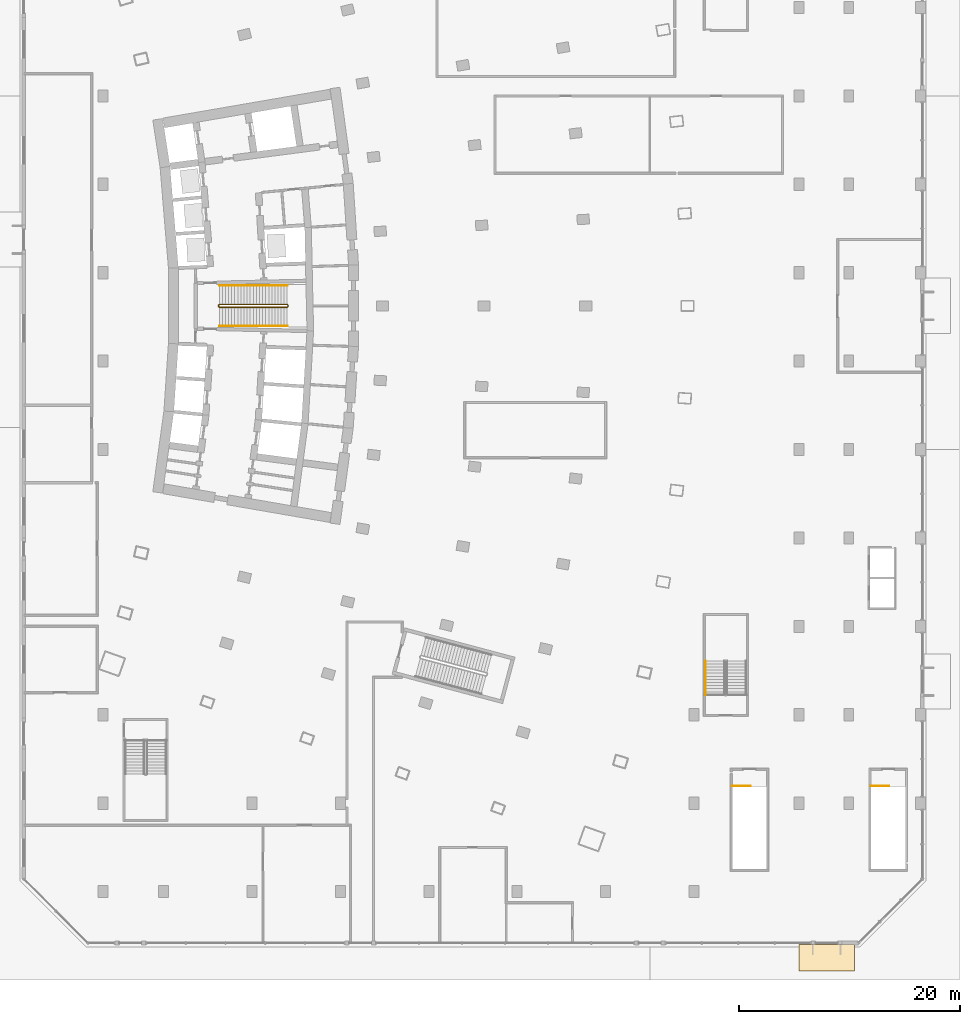
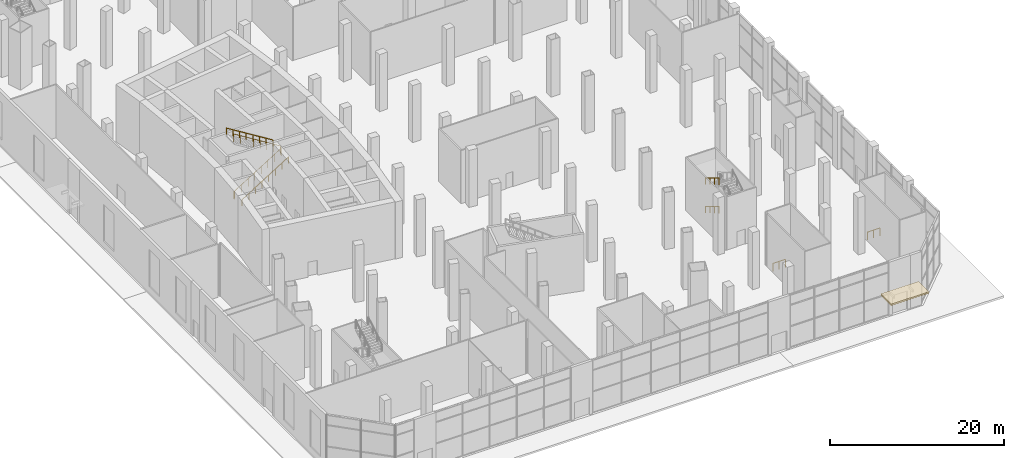
# One storey, part 26 of 33: 7 railings, 2 coverings.
"""IFC4 building model written with IfcOpenShell, lengths in metres."""

from ifc_helpers import new_model, si_unit, direction, frame, origin, origin_with_axes, origin_2d, place, context, subcontext, project, spatial, polyline, rectangle, outline, extrude, material, layer, layer_set, type_object, element, save


model = new_model("IFC4")

# Units and contexts
model_context = context("Model", 3, precision=1e-05, world=origin(), true_north=direction((0.0, 1.0)))
body_context = subcontext(model_context, "Body", "Model", "MODEL_VIEW")
ifc_project = project(units=[si_unit("LENGTHUNIT", "METRE"), si_unit("AREAUNIT", "SQUARE_METRE"), si_unit("VOLUMEUNIT", "CUBIC_METRE"), si_unit("PLANEANGLEUNIT", "RADIAN"), si_unit("MASSUNIT", "GRAM", prefix="KILO")], contexts=[model_context])

# Site, building, storey
site_placement = place(None, origin())
site = spatial("IfcSite", under=ifc_project, at=site_placement, CompositionType="ELEMENT")
building_placement = place(site_placement, origin())
building = spatial("IfcBuilding", under=site, at=building_placement, Name="Alderwake Tower", CompositionType="ELEMENT")
storey_placement = place(building_placement, origin())
storey = spatial("IfcBuildingStorey", under=building, at=storey_placement, Name="L00", CompositionType="ELEMENT", Elevation=0.0)

# Coverings
ifc_material_1 = material(Name="Bronze anodised aluminium soffit panel", Category="aluminium")
ifc_layer_1 = layer(ifc_material_1, 0.030029296875)
ifc_layer_set_1 = layer_set([ifc_layer_1], Name="Canopy soffit panel 30")
covering_type_1 = type_object("IfcCoveringType", Name="Canopy soffit panel 30", PredefinedType="CLADDING", material=ifc_layer_set_1)
covering_1_placement = place(storey_placement, frame((0.0, 0.0, 3.169921875)))
element("IfcCovering", 1, at=covering_1_placement, inside=storey, type_object=covering_type_1, Name="Canopy soffit cladding", PredefinedType="CLADDING", context=body_context, shape_type="SweptSolid", body=[
    extrude(outline(polyline([(73.5, 0.800048828125), (78.5, 0.800048828125), (78.5, 3.199951171875), (73.5, 3.199951171875), (73.5, 0.800048828125)])), origin(), (0.0, 0.0, 1.0), 0.030029296875),
])
ifc_material_2 = material(Name="Bronze anodised aluminium standing-seam roofing", Category="aluminium")
ifc_layer_2 = layer(ifc_material_2, 0.199951171875)
ifc_layer_set_2 = layer_set([ifc_layer_2], Name="Entrance canopy roofing 200")
covering_type_2 = type_object("IfcCoveringType", Name="Entrance canopy roofing 200", PredefinedType="ROOFING", material=ifc_layer_set_2)
covering_2_placement = place(storey_placement, frame((0.0, 0.0, 3.199951171875)))
element("IfcCovering", 2, at=covering_2_placement, inside=storey, type_object=covering_type_2, Name="Entrance canopy", PredefinedType="ROOFING", context=body_context, shape_type="SweptSolid", body=[
    extrude(outline(polyline([(73.5, 0.800048828125), (78.5, 0.800048828125), (78.5, 3.199951171875), (73.5, 3.199951171875), (73.5, 0.800048828125)])), origin(), (0.0, 0.0, 1.0), 0.199951171875),
])

# Railings
ifc_material_3 = material(Name="Stainless steel guard", Category="steel")
railing_type_1 = type_object("IfcRailingType", Name="Stair guard 1100", PredefinedType="GUARDRAIL", material=ifc_material_3)
railing_1_placement = place(storey_placement, frame((20.989990234375, 60.925048828125, 0.0)))
element("IfcRailing", 3, at=railing_1_placement, inside=storey, type_object=railing_type_1, Name="L00 ST-B stair guard 1", PredefinedType="GUARDRAIL", context=body_context, shape_type="SweptSolid", body=[
    extrude(rectangle(XDim=0.048095703125, YDim=0.048095703125, at=origin_2d()), frame((0.0, 0.0, 1.076171875), z_axis=(0.0, 1.0, 0.0), x_axis=(-1.0, 0.0, 0.0)), (0.0, 0.0, 1.0), 0.14990234375),
    extrude(rectangle(XDim=0.048095703125, YDim=0.048095703125, at=origin_2d()), frame((0.0, 0.14990234375, 1.076171875), z_axis=(0.185618820311, -0.741569823585, 0.644685853959), x_axis=(0.970072785993, 0.242814311512, 0.0)), (0.0, 0.0, 1.0), 0.26953125),
    extrude(rectangle(XDim=0.048095703125, YDim=0.048095703125, at=origin_2d()), frame((0.050048828125, -0.050048828125, 1.25), z_axis=(0.849468459523, 0.0, 0.527639399851), x_axis=(0.0, 1.0, 0.0)), (0.0, 0.0, 1.0), 7.25146484375),
    extrude(rectangle(XDim=0.048095703125, YDim=0.048095703125, at=origin_2d()), frame((6.2099609375, -0.050048828125, 5.076171875), z_axis=(0.707106781187, 0.707106781187, 0.0), x_axis=(-0.707106781187, 0.707106781187, 0.0)), (0.0, 0.0, 1.0), 0.07080078125),
    extrude(rectangle(XDim=0.048095703125, YDim=0.048095703125, at=origin_2d()), frame((6.260009765625, 0.0, 5.076171875), z_axis=(0.0, 1.0, 0.0), x_axis=(-1.0, 0.0, 0.0)), (0.0, 0.0, 1.0), 0.14990234375),
    extrude(rectangle(XDim=0.048095703125, YDim=0.048095703125, at=origin_2d()), frame((6.260009765625, 0.14990234375, 5.076171875), z_axis=(-0.266662732588, 0.266662732588, 0.92616519806), x_axis=(-0.707106781187, -0.707106781187, 0.0)), (0.0, 0.0, 1.0), 0.187744140625),
    extrude(rectangle(XDim=0.048095703125, YDim=0.048095703125, at=origin_2d()), frame((6.2099609375, 0.199951171875, 5.25), z_axis=(-0.849468459523, 0.0, 0.527639399851), x_axis=(0.0, -1.0, 0.0)), (0.0, 0.0, 1.0), 7.25146484375),
    extrude(rectangle(XDim=0.0419921875, YDim=0.0419921875, at=origin_2d()), frame((0.0, 0.0, 0.0), z_axis=(0.0, 0.0, 1.0), x_axis=(0.0, 1.0, 0.0)), (0.0, 0.0, 1.0), 1.052001953125),
    extrude(rectangle(XDim=0.0419921875, YDim=0.0419921875, at=origin_2d()), frame((0.0, 0.14990234375, 0.0), z_axis=(0.0, 0.0, 1.0), x_axis=(0.242814311512, -0.970072785993, 0.0)), (0.0, 0.0, 1.0), 1.052001953125),
    extrude(rectangle(XDim=0.0419921875, YDim=0.0419921875, at=origin_2d()), frame((0.050048828125, -0.050048828125, 0.173828125), z_axis=(0.0, 0.0, 1.0), x_axis=(1.0, 0.0, 0.0)), (0.0, 0.0, 1.0), 1.052001953125),
    extrude(rectangle(XDim=0.0419921875, YDim=0.0419921875, at=origin_2d()), frame((0.929931640625, -0.050048828125, 0.720458984375), z_axis=(0.0, 0.0, 1.0), x_axis=(1.0, 0.0, 0.0)), (0.0, 0.0, 1.0), 1.052001953125),
    extrude(rectangle(XDim=0.0419921875, YDim=0.0419921875, at=origin_2d()), frame((1.81005859375, -0.050048828125, 1.26708984375), z_axis=(0.0, 0.0, 1.0), x_axis=(1.0, 0.0, 0.0)), (0.0, 0.0, 1.0), 1.052001953125),
    extrude(rectangle(XDim=0.0419921875, YDim=0.0419921875, at=origin_2d()), frame((2.68994140625, -0.050048828125, 1.813720703125), z_axis=(0.0, 0.0, 1.0), x_axis=(1.0, 0.0, 0.0)), (0.0, 0.0, 1.0), 1.052001953125),
    extrude(rectangle(XDim=0.0419921875, YDim=0.0419921875, at=origin_2d()), frame((3.570068359375, -0.050048828125, 2.360107421875), z_axis=(0.0, 0.0, 1.0), x_axis=(1.0, 0.0, 0.0)), (0.0, 0.0, 1.0), 1.052001953125),
    extrude(rectangle(XDim=0.0419921875, YDim=0.0419921875, at=origin_2d()), frame((4.449951171875, -0.050048828125, 2.90673828125), z_axis=(0.0, 0.0, 1.0), x_axis=(1.0, 0.0, 0.0)), (0.0, 0.0, 1.0), 1.052001953125),
    extrude(rectangle(XDim=0.0419921875, YDim=0.0419921875, at=origin_2d()), frame((5.330078125, -0.050048828125, 3.453369140625), z_axis=(0.0, 0.0, 1.0), x_axis=(1.0, 0.0, 0.0)), (0.0, 0.0, 1.0), 1.052001953125),
    extrude(rectangle(XDim=0.0419921875, YDim=0.0419921875, at=origin_2d()), frame((6.2099609375, -0.050048828125, 4.0), z_axis=(0.0, 0.0, 1.0), x_axis=(0.707106781187, 0.707106781187, 0.0)), (0.0, 0.0, 1.0), 1.052001953125),
    extrude(rectangle(XDim=0.0419921875, YDim=0.0419921875, at=origin_2d()), frame((6.260009765625, 0.0, 4.0), z_axis=(0.0, 0.0, 1.0), x_axis=(0.0, 1.0, 0.0)), (0.0, 0.0, 1.0), 1.052001953125),
    extrude(rectangle(XDim=0.0419921875, YDim=0.0419921875, at=origin_2d()), frame((6.260009765625, 0.14990234375, 4.0), z_axis=(0.0, 0.0, 1.0), x_axis=(-0.707106781187, 0.707106781187, 0.0)), (0.0, 0.0, 1.0), 1.052001953125),
    extrude(rectangle(XDim=0.0419921875, YDim=0.0419921875, at=origin_2d()), frame((6.2099609375, 0.199951171875, 4.173828125), z_axis=(0.0, 0.0, 1.0), x_axis=(-1.0, 0.0, 0.0)), (0.0, 0.0, 1.0), 1.052001953125),
    extrude(rectangle(XDim=0.0419921875, YDim=0.0419921875, at=origin_2d()), frame((5.330078125, 0.199951171875, 4.720458984375), z_axis=(0.0, 0.0, 1.0), x_axis=(-1.0, 0.0, 0.0)), (0.0, 0.0, 1.0), 1.052001953125),
    extrude(rectangle(XDim=0.0419921875, YDim=0.0419921875, at=origin_2d()), frame((4.449951171875, 0.199951171875, 5.26708984375), z_axis=(0.0, 0.0, 1.0), x_axis=(-1.0, 0.0, 0.0)), (0.0, 0.0, 1.0), 1.052001953125),
    extrude(rectangle(XDim=0.0419921875, YDim=0.0419921875, at=origin_2d()), frame((3.570068359375, 0.199951171875, 5.813720703125), z_axis=(0.0, 0.0, 1.0), x_axis=(-1.0, 0.0, 0.0)), (0.0, 0.0, 1.0), 1.052001953125),
    extrude(rectangle(XDim=0.0419921875, YDim=0.0419921875, at=origin_2d()), frame((2.68994140625, 0.199951171875, 6.360107421875), z_axis=(0.0, 0.0, 1.0), x_axis=(-1.0, 0.0, 0.0)), (0.0, 0.0, 1.0), 1.052001953125),
    extrude(rectangle(XDim=0.0419921875, YDim=0.0419921875, at=origin_2d()), frame((1.81005859375, 0.199951171875, 6.90673828125), z_axis=(0.0, 0.0, 1.0), x_axis=(-1.0, 0.0, 0.0)), (0.0, 0.0, 1.0), 1.052001953125),
    extrude(rectangle(XDim=0.0419921875, YDim=0.0419921875, at=origin_2d()), frame((0.929931640625, 0.199951171875, 7.453369140625), z_axis=(0.0, 0.0, 1.0), x_axis=(-1.0, 0.0, 0.0)), (0.0, 0.0, 1.0), 1.052001953125),
    extrude(rectangle(XDim=0.0419921875, YDim=0.0419921875, at=origin_2d()), frame((0.050048828125, 0.199951171875, 8.0), z_axis=(0.0, 0.0, 1.0), x_axis=(-1.0, 0.0, 0.0)), (0.0, 0.0, 1.0), 1.052001953125),
])
railing_2_placement = place(storey_placement, frame((67.449951171875, 17.550048828125, 0.0)))
element("IfcRailing", 4, at=railing_2_placement, inside=storey, type_object=railing_type_1, Name="L00 ST-S1 top well guard 1", PredefinedType="GUARDRAIL", context=body_context, shape_type="SweptSolid", body=[
    extrude(rectangle(XDim=0.048095703125, YDim=0.048095703125, at=origin_2d()), frame((0.0, 0.0, 1.076171875), z_axis=(1.0, 0.0, 0.0), x_axis=(0.0, 1.0, 0.0)), (0.0, 0.0, 1.0), 1.650146484375),
    extrude(rectangle(XDim=0.0419921875, YDim=0.0419921875, at=origin_2d()), origin_with_axes(), (0.0, 0.0, 1.0), 1.052001953125),
    extrude(rectangle(XDim=0.0419921875, YDim=0.0419921875, at=origin_2d()), frame((0.8251953125, 0.0, 0.0), z_axis=(0.0, 0.0, 1.0), x_axis=(1.0, 0.0, 0.0)), (0.0, 0.0, 1.0), 1.052001953125),
    extrude(rectangle(XDim=0.0419921875, YDim=0.0419921875, at=origin_2d()), frame((1.650146484375, 0.0, 0.0), z_axis=(0.0, 0.0, 1.0), x_axis=(1.0, 0.0, 0.0)), (0.0, 0.0, 1.0), 1.052001953125),
])
railing_3_placement = place(storey_placement, frame((80.0, 17.550048828125, 0.0)))
element("IfcRailing", 5, at=railing_3_placement, inside=storey, type_object=railing_type_1, Name="L00 ST-S2 top well guard 1", PredefinedType="GUARDRAIL", context=body_context, shape_type="SweptSolid", body=[
    extrude(rectangle(XDim=0.048095703125, YDim=0.048095703125, at=origin_2d()), frame((0.0, 0.0, 1.076171875), z_axis=(1.0, 0.0, 0.0), x_axis=(0.0, 1.0, 0.0)), (0.0, 0.0, 1.0), 1.64990234375),
    extrude(rectangle(XDim=0.0419921875, YDim=0.0419921875, at=origin_2d()), origin_with_axes(), (0.0, 0.0, 1.0), 1.052001953125),
    extrude(rectangle(XDim=0.0419921875, YDim=0.0419921875, at=origin_2d()), frame((0.824951171875, 0.0, 0.0), z_axis=(0.0, 0.0, 1.0), x_axis=(1.0, 0.0, 0.0)), (0.0, 0.0, 1.0), 1.052001953125),
    extrude(rectangle(XDim=0.0419921875, YDim=0.0419921875, at=origin_2d()), frame((1.64990234375, 0.0, 0.0), z_axis=(0.0, 0.0, 1.0), x_axis=(1.0, 0.0, 0.0)), (0.0, 0.0, 1.0), 1.052001953125),
])
ifc_material_4 = material(Name="Stainless steel handrail", Category="steel")
railing_type_2 = type_object("IfcRailingType", Name="Stair handrail 900", PredefinedType="HANDRAIL", material=ifc_material_4)
railing_4_placement = place(storey_placement, frame((21.0400390625, 59.175048828125, 0.173828125)))
element("IfcRailing", 6, at=railing_4_placement, inside=storey, type_object=railing_type_2, Name="L00 ST-B stair handrail 1", PredefinedType="HANDRAIL", context=body_context, shape_type="SweptSolid", body=[
    extrude(rectangle(XDim=0.048095703125, YDim=0.048095703125, at=origin_2d()), frame((0.0, 0.0, 0.8759765625), z_axis=(0.849468459523, 0.0, 0.527639399851), x_axis=(0.0, 1.0, 0.0)), (0.0, 0.0, 1.0), 7.25146484375),
    extrude(rectangle(XDim=0.0419921875, YDim=0.0419921875, at=origin_2d()), origin_with_axes(), (0.0, 0.0, 1.0), 0.851806640625),
    extrude(rectangle(XDim=0.0419921875, YDim=0.0419921875, at=origin_2d()), frame((0.8798828125, 0.0, 0.546630859375), z_axis=(0.0, 0.0, 1.0), x_axis=(1.0, 0.0, 0.0)), (0.0, 0.0, 1.0), 0.851806640625),
    extrude(rectangle(XDim=0.0419921875, YDim=0.0419921875, at=origin_2d()), frame((1.760009765625, 0.0, 1.09326171875), z_axis=(0.0, 0.0, 1.0), x_axis=(1.0, 0.0, 0.0)), (0.0, 0.0, 1.0), 0.851806640625),
    extrude(rectangle(XDim=0.0419921875, YDim=0.0419921875, at=origin_2d()), frame((2.639892578125, 0.0, 1.639892578125), z_axis=(0.0, 0.0, 1.0), x_axis=(1.0, 0.0, 0.0)), (0.0, 0.0, 1.0), 0.851806640625),
    extrude(rectangle(XDim=0.0419921875, YDim=0.0419921875, at=origin_2d()), frame((3.52001953125, 0.0, 2.186279296875), z_axis=(0.0, 0.0, 1.0), x_axis=(1.0, 0.0, 0.0)), (0.0, 0.0, 1.0), 0.851806640625),
    extrude(rectangle(XDim=0.0419921875, YDim=0.0419921875, at=origin_2d()), frame((4.39990234375, 0.0, 2.73291015625), z_axis=(0.0, 0.0, 1.0), x_axis=(1.0, 0.0, 0.0)), (0.0, 0.0, 1.0), 0.851806640625),
    extrude(rectangle(XDim=0.0419921875, YDim=0.0419921875, at=origin_2d()), frame((5.280029296875, 0.0, 3.279541015625), z_axis=(0.0, 0.0, 1.0), x_axis=(1.0, 0.0, 0.0)), (0.0, 0.0, 1.0), 0.851806640625),
    extrude(rectangle(XDim=0.0419921875, YDim=0.0419921875, at=origin_2d()), frame((6.159912109375, 0.0, 3.826171875), z_axis=(0.0, 0.0, 1.0), x_axis=(1.0, 0.0, 0.0)), (0.0, 0.0, 1.0), 0.851806640625),
])
railing_5_placement = place(storey_placement, frame((27.199951171875, 62.824951171875, 4.173828125)))
element("IfcRailing", 7, at=railing_5_placement, inside=storey, type_object=railing_type_2, Name="L00 ST-B stair handrail 2", PredefinedType="HANDRAIL", context=body_context, shape_type="SweptSolid", body=[
    extrude(rectangle(XDim=0.048095703125, YDim=0.048095703125, at=origin_2d()), frame((0.0, 0.0, 0.8759765625), z_axis=(-0.849468459523, 0.0, 0.527639399851), x_axis=(0.0, -1.0, 0.0)), (0.0, 0.0, 1.0), 7.25146484375),
    extrude(rectangle(XDim=0.0419921875, YDim=0.0419921875, at=origin_2d()), frame((0.0, 0.0, 0.0), z_axis=(0.0, 0.0, 1.0), x_axis=(-1.0, 0.0, 0.0)), (0.0, 0.0, 1.0), 0.851806640625),
    extrude(rectangle(XDim=0.0419921875, YDim=0.0419921875, at=origin_2d()), frame((-0.8798828125, 0.0, 0.546630859375), z_axis=(0.0, 0.0, 1.0), x_axis=(-1.0, 0.0, 0.0)), (0.0, 0.0, 1.0), 0.851806640625),
    extrude(rectangle(XDim=0.0419921875, YDim=0.0419921875, at=origin_2d()), frame((-1.760009765625, 0.0, 1.09326171875), z_axis=(0.0, 0.0, 1.0), x_axis=(-1.0, 0.0, 0.0)), (0.0, 0.0, 1.0), 0.851806640625),
    extrude(rectangle(XDim=0.0419921875, YDim=0.0419921875, at=origin_2d()), frame((-2.639892578125, 0.0, 1.639892578125), z_axis=(0.0, 0.0, 1.0), x_axis=(-1.0, 0.0, 0.0)), (0.0, 0.0, 1.0), 0.851806640625),
    extrude(rectangle(XDim=0.0419921875, YDim=0.0419921875, at=origin_2d()), frame((-3.52001953125, 0.0, 2.186279296875), z_axis=(0.0, 0.0, 1.0), x_axis=(-1.0, 0.0, 0.0)), (0.0, 0.0, 1.0), 0.851806640625),
    extrude(rectangle(XDim=0.0419921875, YDim=0.0419921875, at=origin_2d()), frame((-4.39990234375, 0.0, 2.73291015625), z_axis=(0.0, 0.0, 1.0), x_axis=(-1.0, 0.0, 0.0)), (0.0, 0.0, 1.0), 0.851806640625),
    extrude(rectangle(XDim=0.0419921875, YDim=0.0419921875, at=origin_2d()), frame((-5.280029296875, 0.0, 3.279541015625), z_axis=(0.0, 0.0, 1.0), x_axis=(-1.0, 0.0, 0.0)), (0.0, 0.0, 1.0), 0.851806640625),
    extrude(rectangle(XDim=0.0419921875, YDim=0.0419921875, at=origin_2d()), frame((-6.159912109375, 0.0, 3.826171875), z_axis=(0.0, 0.0, 1.0), x_axis=(-1.0, 0.0, 0.0)), (0.0, 0.0, 1.0), 0.851806640625),
])
for number, where, name in (
    (8, (65.050048828125, 28.8798828125, 2.166748046875), "L00 ST-P4 stair handrail 2"),
    (9, (65.050048828125, 28.8798828125, 6.166748046875), "L00 ST-P4 stair handrail 4"),
):
    element("IfcRailing", number, at=place(storey_placement, frame(where)), inside=storey, type_object=railing_type_2, Name=name, PredefinedType="HANDRAIL", context=body_context, shape_type="SweptSolid", body=[
        extrude(rectangle(XDim=0.048095703125, YDim=0.048095703125, at=origin_2d()), frame((0.0, 0.0, 0.8759765625), z_axis=(0.0, -0.859290745958, 0.51148745235), x_axis=(1.0, 0.0, 0.0)), (0.0, 0.0, 1.0), 3.584228515625),
        extrude(rectangle(XDim=0.0419921875, YDim=0.0419921875, at=origin_2d()), frame((0.0, 0.0, 0.0), z_axis=(0.0, 0.0, 1.0), x_axis=(0.0, -1.0, 0.0)), (0.0, 0.0, 1.0), 0.851806640625),
        extrude(rectangle(XDim=0.0419921875, YDim=0.0419921875, at=origin_2d()), frame((0.0, -1.026611328125, 0.611083984375), z_axis=(0.0, 0.0, 1.0), x_axis=(0.0, -1.0, 0.0)), (0.0, 0.0, 1.0), 0.851806640625),
        extrude(rectangle(XDim=0.0419921875, YDim=0.0419921875, at=origin_2d()), frame((0.0, -2.05322265625, 1.22216796875), z_axis=(0.0, 0.0, 1.0), x_axis=(0.0, -1.0, 0.0)), (0.0, 0.0, 1.0), 0.851806640625),
        extrude(rectangle(XDim=0.0419921875, YDim=0.0419921875, at=origin_2d()), frame((0.0, -3.079833984375, 1.833251953125), z_axis=(0.0, 0.0, 1.0), x_axis=(0.0, -1.0, 0.0)), (0.0, 0.0, 1.0), 0.851806640625),
    ])

save(model, "model.ifc")
